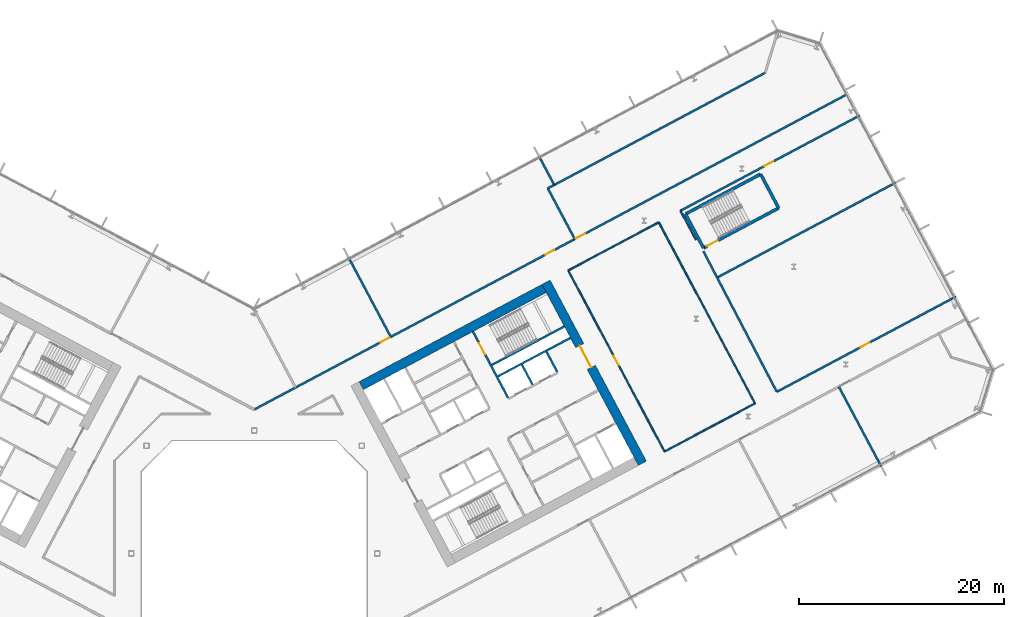
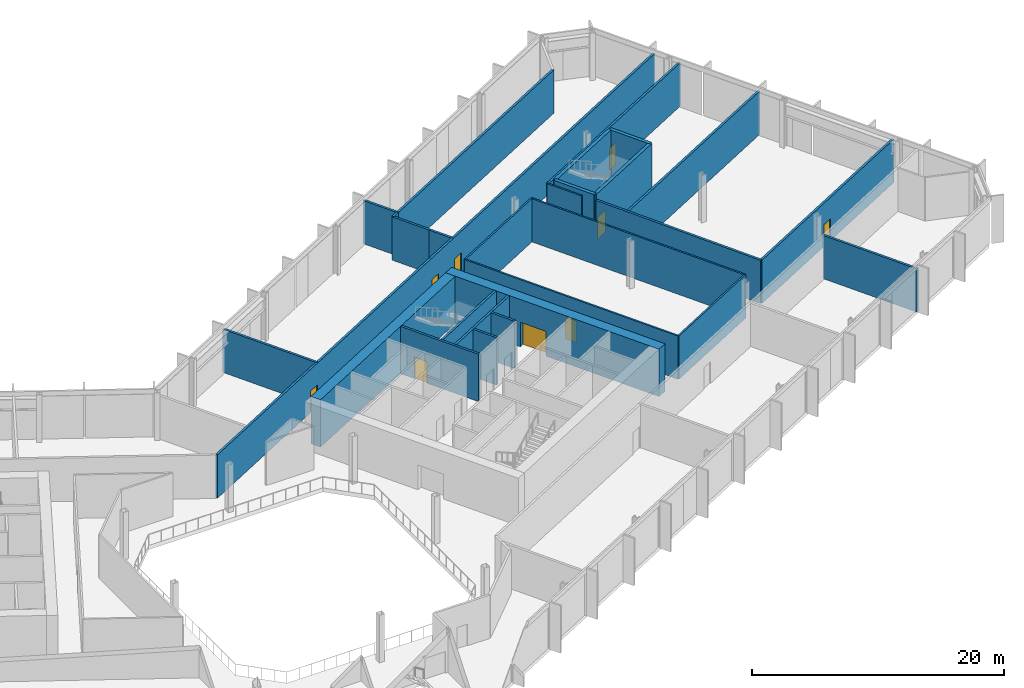
# One storey, part 19 of 32: 28 walls, 9 doors, 9 openings.
"""IFC4 building model written with IfcOpenShell, lengths in metres."""

from ifc_helpers import new_model, si_unit, direction, frame, frame_2d, origin, place, context, subcontext, project, spatial, rectangle, extrude, material, layer, layer_set, type_object, element, fill, save


model = new_model("IFC4")

# Units and contexts
model_context = context("Model", 3, precision=1e-05, world=origin(), true_north=direction((0.0, 1.0)))
body_context = subcontext(model_context, "Body", "Model", "MODEL_VIEW")
ifc_project = project(units=[si_unit("LENGTHUNIT", "METRE"), si_unit("AREAUNIT", "SQUARE_METRE"), si_unit("VOLUMEUNIT", "CUBIC_METRE"), si_unit("PLANEANGLEUNIT", "RADIAN"), si_unit("MASSUNIT", "GRAM", prefix="KILO")], contexts=[model_context])

# Site, building, storey
site_placement = place(None, origin())
site = spatial("IfcSite", under=ifc_project, at=site_placement, CompositionType="ELEMENT")
building_placement = place(site_placement, origin())
building = spatial("IfcBuilding", under=site, at=building_placement, Name="Cormorant Relay Tower", CompositionType="ELEMENT")
storey_placement = place(building_placement, frame((0.0, 0.0, 75.39990234375)))
storey = spatial("IfcBuildingStorey", under=building, at=storey_placement, Name="L14", CompositionType="ELEMENT", Elevation=75.39990234375)

# Wall
ifc_material_1 = material(Name="Concrete 40 MPa", Category="concrete")
ifc_layer_1 = layer(ifc_material_1, 0.199951171875)
ifc_layer_set_1 = layer_set([ifc_layer_1], Name="Core internal wall 200")
wall_type_1 = type_object("IfcWallType", Name="Core internal wall 200", PredefinedType="SOLIDWALL", material=ifc_layer_set_1)
wall_1_placement = place(storey_placement, frame((27.144287109375, 16.471435546875, 0.0), z_axis=(0.0, 0.0, 1.0), x_axis=(-0.469401318492, 0.882984938828, 0.0)))
element("IfcWall", 1, at=wall_1_placement, inside=storey, type_object=wall_type_1, Name="L14 core B shaft and room wall", PredefinedType="SOLIDWALL", context=body_context, shape_type="SweptSolid", body=[
    extrude(rectangle(XDim=2.199951171875, YDim=0.199951171875, at=frame_2d((1.10009765625, 0.0))), origin(), (0.0, 0.0, 1.0), 4.60009765625),
])

# Wall, opening, door
ifc_material_2 = material(Name="Concrete 50 MPa", Category="concrete")
ifc_layer_2 = layer(ifc_material_2, 0.199951171875)
ifc_layer_set_2 = layer_set([ifc_layer_2], Name="Core shaft wall 200")
wall_type_2 = type_object("IfcWallType", Name="Core shaft wall 200", PredefinedType="SHEAR", material=ifc_layer_set_2)
wall_2_placement = place(storey_placement, frame((24.760498046875, 15.2041015625, 0.0), z_axis=(0.0, 0.0, 1.0), x_axis=(-0.469494272526, 0.882935517501, 0.0)))
wall_2 = element("IfcWall", 2, at=wall_2_placement, inside=storey, type_object=wall_type_2, Name="L14 core B shaft wall", PredefinedType="SHEAR", context=body_context, shape_type="SweptSolid", body=[
    extrude(rectangle(XDim=7.2998046875, YDim=0.199951171875, at=frame_2d((3.64990234375, 0.0))), origin(), (0.0, 0.0, 1.0), 4.60009765625),
])
opening_1_placement = place(wall_2_placement, frame((4.800048828125, 0.0, 0.0)))
opening_1 = element("IfcOpeningElement", 3, at=opening_1_placement, cuts=wall_2, Name="Opening CDB-027", PredefinedType="OPENING", context=body_context, shape_type="SweptSolid", body=[
    extrude(rectangle(XDim=1.199951171875, YDim=2.10009765625, at=frame_2d((0.60009765625, 1.050048828125))), frame((0.0, 0.10986328125, 0.0), z_axis=(0.0, -1.0, 0.0), x_axis=(1.0, 0.0, 0.0)), (0.0, 0.0, 1.0), 0.219970703125),
])
ifc_material_3 = material(Name="Steel fire door", Category="steel")
door_type_1 = type_object("IfcDoorType", Name="Core stair door 1200x2100", OperationType="SINGLE_SWING_LEFT", PredefinedType="DOOR", material=ifc_material_3)
door_1_placement = place(opening_1_placement, frame((1.199951171875, 0.0, 0.0), z_axis=(0.0, 0.0, 1.0), x_axis=(-1.0, 0.0, 0.0)))
door_1 = element("IfcDoor", 4, at=door_1_placement, inside=storey, type_object=door_type_1, Name="Core stair door 1200x2100", OperationType="SINGLE_SWING_RIGHT", OverallHeight=2.10009765625, OverallWidth=1.199951171875, PredefinedType="DOOR", context=body_context, shape_type="SweptSolid", body=[
    extrude(rectangle(XDim=1.199951171875, YDim=2.10009765625, at=frame_2d((0.60009765625, 1.050048828125))), frame((0.0, 0.02490234375, 0.0), z_axis=(0.0, -1.0, 0.0), x_axis=(1.0, 0.0, 0.0)), (0.0, 0.0, 1.0), 0.050048828125),
])
fill(opening_1, door_1)

# Walls
wall_3_placement = place(storey_placement, frame((29.5283203125, 17.739013671875, 0.0), z_axis=(0.0, 0.0, 1.0), x_axis=(-0.469401318492, 0.882984938828, 0.0)))
element("IfcWall", 5, at=wall_3_placement, inside=storey, type_object=wall_type_2, Name="L14 core B shaft wall", PredefinedType="SHEAR", context=body_context, shape_type="SweptSolid", body=[
    extrude(rectangle(XDim=2.199951171875, YDim=0.199951171875, at=frame_2d((1.10009765625, 0.0))), origin(), (0.0, 0.0, 1.0), 4.60009765625),
])
wall_4_placement = place(storey_placement, frame((23.76904296875, 17.28173828125, 0.0), z_axis=(0.0, 0.0, 1.0), x_axis=(0.882940221191, 0.469485426614, 0.0)))
element("IfcWall", 6, at=wall_4_placement, inside=storey, type_object=wall_type_2, Name="L14 core B shaft wall", PredefinedType="SHEAR", context=body_context, shape_type="SweptSolid", body=[
    extrude(rectangle(XDim=8.0, YDim=0.199951171875, at=frame_2d((4.0, 0.0))), origin(), (0.0, 0.0, 1.0), 4.60009765625),
])
wall_5_placement = place(storey_placement, frame((23.18212890625, 18.385498046875, 0.0), z_axis=(0.0, 0.0, 1.0), x_axis=(0.88295287151, 0.469461634952, 0.0)))
element("IfcWall", 7, at=wall_5_placement, inside=storey, type_object=wall_type_2, Name="L14 core B shaft wall", PredefinedType="SHEAR", context=body_context, shape_type="SweptSolid", body=[
    extrude(rectangle(XDim=7.999755859375, YDim=0.199951171875, at=frame_2d((4.0, 0.0))), origin(), (0.0, 0.0, 1.0), 4.60009765625),
])

# Wall, opening, door
ifc_material_4 = material(Name="Concrete 70 MPa", Category="concrete")
ifc_layer_3 = layer(ifc_material_4, 0.89990234375)
ifc_layer_set_3 = layer_set([ifc_layer_3], Name="Core wall 900")
wall_type_3 = type_object("IfcWallType", Name="Core wall 900", PredefinedType="SHEAR", material=ifc_layer_set_3)
wall_6_placement = place(storey_placement, frame((37.849365234375, 8.799072265625, 0.0), z_axis=(0.0, 0.0, 1.0), x_axis=(-0.469465789982, 0.882950662289, 0.0)))
wall_6 = element("IfcWall", 8, at=wall_6_placement, inside=storey, type_object=wall_type_3, Name="L14 core B wall", PredefinedType="SHEAR", context=body_context, shape_type="SweptSolid", body=[
    extrude(rectangle(XDim=20.000244140625, YDim=0.89990234375, at=frame_2d((10.0, 0.0))), origin(), (0.0, 0.0, 1.0), 4.60009765625),
])
opening_2_placement = place(wall_6_placement, frame((10.60009765625, 0.0, 0.0)))
opening_2 = element("IfcOpeningElement", 9, at=opening_2_placement, cuts=wall_6, Name="Opening CDA-020", PredefinedType="OPENING", context=body_context, shape_type="SweptSolid", body=[
    extrude(rectangle(XDim=2.39990234375, YDim=2.39990234375, at=frame_2d((1.199951171875, 1.199951171875))), frame((0.0, 0.4599609375, 0.0), z_axis=(0.0, -1.0, 0.0), x_axis=(1.0, 0.0, 0.0)), (0.0, 0.0, 1.0), 0.919921875),
])
ifc_material_5 = material(Name="Steel fire door", Category="steel")
door_type_2 = type_object("IfcDoorType", Name="Core lobby door 2400x2400", OperationType="DOUBLE_DOOR_SINGLE_SWING", PredefinedType="DOOR", material=ifc_material_5)
door_2_placement = place(opening_2_placement, origin())
door_2 = element("IfcDoor", 10, at=door_2_placement, inside=storey, type_object=door_type_2, Name="Core lobby door 2400x2400", OperationType="DOUBLE_DOOR_SINGLE_SWING", OverallHeight=2.39990234375, OverallWidth=2.39990234375, PredefinedType="DOOR", context=body_context, shape_type="SweptSolid", body=[
    extrude(rectangle(XDim=2.39990234375, YDim=2.39990234375, at=frame_2d((1.199951171875, 1.199951171875))), frame((0.0, 0.02490234375, 0.0), z_axis=(0.0, -1.0, 0.0), x_axis=(1.0, 0.0, 0.0)), (0.0, 0.0, 1.0), 0.050048828125),
])
fill(opening_2, door_2)

# Wall
wall_7_placement = place(storey_placement, frame((10.4384765625, 16.3662109375, 0.0), z_axis=(0.0, 0.0, 1.0), x_axis=(0.88294509198, 0.469476266226, 0.0)))
element("IfcWall", 11, at=wall_7_placement, inside=storey, type_object=wall_type_3, Name="L14 core B wall", PredefinedType="SHEAR", context=body_context, shape_type="SweptSolid", body=[
    extrude(rectangle(XDim=20.199951171875, YDim=0.89990234375, at=frame_2d((10.10009765625, 0.0))), origin(), (0.0, 0.0, 1.0), 4.60009765625),
])

# Wall, openings, doors
ifc_material_6 = material(Name="Fire-rated gypsum board partition")
ifc_layer_4 = layer(ifc_material_6, 0.199951171875)
ifc_layer_set_4 = layer_set([ifc_layer_4], Name="Fire-rated gypsum partition 200")
wall_type_4 = type_object("IfcWallType", Name="Fire-rated gypsum partition 200", PredefinedType="PARTITIONING", material=ifc_layer_set_4)
wall_8_placement = place(storey_placement, frame((0.0, 14.0439453125, 0.0), z_axis=(0.0, 0.0, 1.0), x_axis=(0.882943219941, 0.469479786955, 0.0)))
wall_8 = element("IfcWall", 12, at=wall_8_placement, inside=storey, type_object=wall_type_4, Name="wall/L14/part/9", PredefinedType="PARTITIONING", context=body_context, shape_type="SweptSolid", body=[
    extrude(rectangle(XDim=65.606689453125, YDim=0.199951171875, at=frame_2d((32.80322265625, 0.0))), origin(), (0.0, 0.0, 1.0), 4.2001953125),
])
opening_3_placement = place(wall_8_placement, frame((35.550048828125, 0.0, 0.0)))
opening_3 = element("IfcOpeningElement", 13, at=opening_3_placement, cuts=wall_8, Name="Opening FD1-087", PredefinedType="OPENING", context=body_context, shape_type="SweptSolid", body=[
    extrude(rectangle(XDim=1.0, YDim=2.10009765625, at=frame_2d((0.5, 1.050048828125))), frame((0.0, 0.10986328125, 0.0), z_axis=(0.0, -1.0, 0.0), x_axis=(1.0, 0.0, 0.0)), (0.0, 0.0, 1.0), 0.219970703125),
])
opening_4_placement = place(wall_8_placement, frame((32.14990234375, 0.0, 0.0)))
opening_4 = element("IfcOpeningElement", 14, at=opening_4_placement, cuts=wall_8, Name="Opening FD1-088", PredefinedType="OPENING", context=body_context, shape_type="SweptSolid", body=[
    extrude(rectangle(XDim=1.0, YDim=2.10009765625, at=frame_2d((0.5, 1.050048828125))), frame((0.0, 0.10986328125, 0.0), z_axis=(0.0, -1.0, 0.0), x_axis=(1.0, 0.0, 0.0)), (0.0, 0.0, 1.0), 0.219970703125),
])
opening_5_placement = place(wall_8_placement, frame((13.949951171875, 0.0, 0.0)))
opening_5 = element("IfcOpeningElement", 15, at=opening_5_placement, cuts=wall_8, Name="Opening FD1-089", PredefinedType="OPENING", context=body_context, shape_type="SweptSolid", body=[
    extrude(rectangle(XDim=1.0, YDim=2.10009765625, at=frame_2d((0.5, 1.050048828125))), frame((0.0, 0.10986328125, 0.0), z_axis=(0.0, -1.0, 0.0), x_axis=(1.0, 0.0, 0.0)), (0.0, 0.0, 1.0), 0.219970703125),
])
ifc_material_7 = material(Name="Fire-rated steel door", Category="steel")
door_type_3 = type_object("IfcDoorType", Name="Fire door 1000 x 2100", OperationType="SINGLE_SWING_LEFT", PredefinedType="DOOR", material=ifc_material_7)
door_3_placement = place(opening_3_placement, origin())
door_3 = element("IfcDoor", 16, at=door_3_placement, inside=storey, type_object=door_type_3, Name="door/L14/5", OperationType="SINGLE_SWING_LEFT", OverallHeight=2.10009765625, OverallWidth=1.0, PredefinedType="DOOR", context=body_context, shape_type="SweptSolid", body=[
    extrude(rectangle(XDim=1.0, YDim=2.10009765625, at=frame_2d((0.5, 1.050048828125))), frame((0.0, 0.02490234375, 0.0), z_axis=(0.0, -1.0, 0.0), x_axis=(1.0, 0.0, 0.0)), (0.0, 0.0, 1.0), 0.050048828125),
])
fill(opening_3, door_3)
door_4_placement = place(opening_4_placement, origin())
door_4 = element("IfcDoor", 17, at=door_4_placement, inside=storey, type_object=door_type_3, Name="door/L14/6", OperationType="SINGLE_SWING_LEFT", OverallHeight=2.10009765625, OverallWidth=1.0, PredefinedType="DOOR", context=body_context, shape_type="SweptSolid", body=[
    extrude(rectangle(XDim=1.0, YDim=2.10009765625, at=frame_2d((0.5, 1.050048828125))), frame((0.0, 0.02490234375, 0.0), z_axis=(0.0, -1.0, 0.0), x_axis=(1.0, 0.0, 0.0)), (0.0, 0.0, 1.0), 0.050048828125),
])
fill(opening_4, door_4)
door_5_placement = place(opening_5_placement, origin())
door_5 = element("IfcDoor", 18, at=door_5_placement, inside=storey, type_object=door_type_3, Name="door/L14/7", OperationType="SINGLE_SWING_RIGHT", OverallHeight=2.10009765625, OverallWidth=1.0, PredefinedType="DOOR", context=body_context, shape_type="SweptSolid", body=[
    extrude(rectangle(XDim=1.0, YDim=2.10009765625, at=frame_2d((0.5, 1.050048828125))), frame((0.0, 0.02490234375, 0.0), z_axis=(0.0, -1.0, 0.0), x_axis=(1.0, 0.0, 0.0)), (0.0, 0.0, 1.0), 0.050048828125),
])
fill(opening_5, door_5)

# Walls
wall_9_placement = place(storey_placement, frame((9.19091796875, 28.89794921875, 0.0), z_axis=(0.0, 0.0, 1.0), x_axis=(0.46939995126, -0.882985665658, 0.0)))
element("IfcWall", 19, at=wall_9_placement, inside=storey, type_object=wall_type_4, Name="wall/L14/part/27", PredefinedType="PARTITIONING", context=body_context, shape_type="SweptSolid", body=[
    extrude(rectangle(XDim=8.80078125, YDim=0.199951171875, at=frame_2d((4.400390625, 0.0))), origin(), (0.0, 0.0, 1.0), 4.2001953125),
])
wall_10_placement = place(storey_placement, frame((30.2490234375, 32.572021484375, 0.0), z_axis=(0.0, 0.0, 1.0), x_axis=(0.469290296872, -0.883043949791, 0.0)))
element("IfcWall", 20, at=wall_10_placement, inside=storey, type_object=wall_type_4, Name="wall/L14/part/33", PredefinedType="PARTITIONING", context=body_context, shape_type="SweptSolid", body=[
    extrude(rectangle(XDim=2.158447265625, YDim=0.199951171875, at=frame_2d((1.0791015625, 0.0))), origin(), (0.0, 0.0, 1.0), 4.2001953125),
])
wall_11_placement = place(storey_placement, frame((27.760009765625, 38.77099609375, 0.0), z_axis=(0.0, 0.0, 1.0), x_axis=(0.469320691295, -0.883027796121, 0.0)))
element("IfcWall", 21, at=wall_11_placement, inside=storey, type_object=wall_type_4, Name="wall/L14/part/37", PredefinedType="PARTITIONING", context=body_context, shape_type="SweptSolid", body=[
    extrude(rectangle(XDim=3.2001953125, YDim=0.199951171875, at=frame_2d((1.60009765625, 0.0))), origin(), (0.0, 0.0, 1.0), 4.2001953125),
])
wall_12_placement = place(storey_placement, frame((29.260009765625, 35.945068359375, 0.0), z_axis=(0.0, 0.0, 1.0), x_axis=(0.882968820758, 0.469431636737, 0.0)))
element("IfcWall", 22, at=wall_12_placement, inside=storey, type_object=wall_type_4, Name="wall/L14/part/38", PredefinedType="PARTITIONING", context=body_context, shape_type="SweptSolid", body=[
    extrude(rectangle(XDim=23.28955078125, YDim=0.199951171875, at=frame_2d((11.644775390625, 0.0))), origin(), (0.0, 0.0, 1.0), 4.2001953125),
])
wall_13_placement = place(storey_placement, frame((30.2490234375, 32.572021484375, 0.0), z_axis=(0.0, 0.0, 1.0), x_axis=(-0.46948710086, 0.882939330943, 0.0)))
element("IfcWall", 23, at=wall_13_placement, inside=storey, type_object=wall_type_4, Name="wall/L14/part/40", PredefinedType="PARTITIONING", context=body_context, shape_type="SweptSolid", body=[
    extrude(rectangle(XDim=3.44189453125, YDim=0.199951171875, at=frame_2d((1.720947265625, 0.0))), origin(), (0.0, 0.0, 1.0), 4.2001953125),
])
wall_14_placement = place(storey_placement, frame((28.633056640625, 35.611083984375, 0.0), z_axis=(0.0, 0.0, 1.0), x_axis=(0.882581167339, 0.470160061106, 0.0)))
element("IfcWall", 24, at=wall_14_placement, inside=storey, type_object=wall_type_4, Name="wall/L14/part/41", PredefinedType="PARTITIONING", context=body_context, shape_type="SweptSolid", body=[
    extrude(rectangle(XDim=0.71044921875, YDim=0.199951171875, at=frame_2d((0.355224609375, 0.0))), origin(), (0.0, 0.0, 1.0), 4.2001953125),
])

# Wall, opening, door
wall_15_placement = place(storey_placement, frame((41.572021484375, 33.429931640625, 0.0), z_axis=(0.0, 0.0, 1.0), x_axis=(0.882950585831, 0.469465933781, 0.0)))
wall_15 = element("IfcWall", 25, at=wall_15_placement, inside=storey, type_object=wall_type_4, Name="wall/L14/part/44", PredefinedType="PARTITIONING", context=body_context, shape_type="SweptSolid", body=[
    extrude(rectangle(XDim=19.799560546875, YDim=0.199951171875, at=frame_2d((9.89990234375, 0.0))), origin(), (0.0, 0.0, 1.0), 4.2001953125),
])
opening_6_placement = place(wall_15_placement, frame((9.25, 0.0, 0.0)))
opening_6 = element("IfcOpeningElement", 26, at=opening_6_placement, cuts=wall_15, Name="Opening FD1-085", PredefinedType="OPENING", context=body_context, shape_type="SweptSolid", body=[
    extrude(rectangle(XDim=1.0, YDim=2.10009765625, at=frame_2d((0.5, 1.050048828125))), frame((0.0, 0.10986328125, 0.0), z_axis=(0.0, -1.0, 0.0), x_axis=(1.0, 0.0, 0.0)), (0.0, 0.0, 1.0), 0.219970703125),
])
door_6_placement = place(opening_6_placement, frame((1.0, 0.0, 0.0), z_axis=(0.0, 0.0, 1.0), x_axis=(-1.0, 0.0, 0.0)))
door_6 = element("IfcDoor", 27, at=door_6_placement, inside=storey, type_object=door_type_3, Name="door/L14/23", OperationType="SINGLE_SWING_RIGHT", OverallHeight=2.10009765625, OverallWidth=1.0, PredefinedType="DOOR", context=body_context, shape_type="SweptSolid", body=[
    extrude(rectangle(XDim=1.0, YDim=2.10009765625, at=frame_2d((0.5, 1.050048828125))), frame((0.0, 0.02490234375, 0.0), z_axis=(0.0, -1.0, 0.0), x_axis=(1.0, 0.0, 0.0)), (0.0, 0.0, 1.0), 0.050048828125),
])
fill(opening_6, door_6)

# Wall
wall_16_placement = place(storey_placement, frame((43.801025390625, 29.48291015625, 0.0), z_axis=(0.0, 0.0, 1.0), x_axis=(0.462864260364, -0.886429171721, 0.0)))
element("IfcWall", 28, at=wall_16_placement, inside=storey, type_object=wall_type_4, Name="wall/L14/part/46", PredefinedType="PARTITIONING", context=body_context, shape_type="SweptSolid", body=[
    extrude(rectangle(XDim=15.46875, YDim=0.199951171875, at=frame_2d((7.734375, 0.0))), origin(), (0.0, 0.0, 1.0), 4.2001953125),
])

# Wall, opening, door
wall_17_placement = place(storey_placement, frame((50.9609375, 15.77099609375, 0.0), z_axis=(0.0, 0.0, 1.0), x_axis=(0.882969283776, 0.469430765831, 0.0)))
wall_17 = element("IfcWall", 29, at=wall_17_placement, inside=storey, type_object=wall_type_4, Name="wall/L14/part/47", PredefinedType="PARTITIONING", context=body_context, shape_type="SweptSolid", body=[
    extrude(rectangle(XDim=19.80029296875, YDim=0.199951171875, at=frame_2d((9.900146484375, 0.0))), origin(), (0.0, 0.0, 1.0), 4.2001953125),
])
opening_7_placement = place(wall_17_placement, frame((9.25, 0.0, 0.0)))
opening_7 = element("IfcOpeningElement", 30, at=opening_7_placement, cuts=wall_17, Name="Opening FD1-084", PredefinedType="OPENING", context=body_context, shape_type="SweptSolid", body=[
    extrude(rectangle(XDim=1.0, YDim=2.10009765625, at=frame_2d((0.5, 1.050048828125))), frame((0.0, 0.10986328125, 0.0), z_axis=(0.0, -1.0, 0.0), x_axis=(1.0, 0.0, 0.0)), (0.0, 0.0, 1.0), 0.219970703125),
])
door_7_placement = place(opening_7_placement, origin())
door_7 = element("IfcDoor", 31, at=door_7_placement, inside=storey, type_object=door_type_3, Name="door/L14/22", OperationType="SINGLE_SWING_LEFT", OverallHeight=2.10009765625, OverallWidth=1.0, PredefinedType="DOOR", context=body_context, shape_type="SweptSolid", body=[
    extrude(rectangle(XDim=1.0, YDim=2.10009765625, at=frame_2d((0.5, 1.050048828125))), frame((0.0, 0.02490234375, 0.0), z_axis=(0.0, -1.0, 0.0), x_axis=(1.0, 0.0, 0.0)), (0.0, 0.0, 1.0), 0.050048828125),
])
fill(opening_7, door_7)

# Walls
wall_18_placement = place(storey_placement, frame((62.5419921875, 36.166015625, 0.0), z_axis=(0.0, 0.0, 1.0), x_axis=(-0.882962645452, -0.46944325188, 0.0)))
element("IfcWall", 32, at=wall_18_placement, inside=storey, type_object=wall_type_4, Name="wall/L14/part/48", PredefinedType="PARTITIONING", context=body_context, shape_type="SweptSolid", body=[
    extrude(rectangle(XDim=19.706298828125, YDim=0.199951171875, at=frame_2d((9.85302734375, 0.0))), origin(), (0.0, 0.0, 1.0), 4.2001953125),
])
wall_19_placement = place(storey_placement, frame((57.010986328125, 16.26904296875, 0.0), z_axis=(0.0, 0.0, 1.0), x_axis=(0.469445946219, -0.882961212952, 0.0)))
element("IfcWall", 33, at=wall_19_placement, inside=storey, type_object=wall_type_4, Name="wall/L14/part/49", PredefinedType="PARTITIONING", context=body_context, shape_type="SweptSolid", body=[
    extrude(rectangle(XDim=8.800048828125, YDim=0.199951171875, at=frame_2d((4.39990234375, 0.0))), origin(), (0.0, 0.0, 1.0), 4.2001953125),
])
ifc_material_8 = material(Name="Gypsum board partition")
ifc_layer_5 = layer(ifc_material_8, 0.14990234375)
ifc_layer_set_5 = layer_set([ifc_layer_5], Name="Gypsum board partition 150")
wall_type_5 = type_object("IfcWallType", Name="Gypsum board partition 150", PredefinedType="PARTITIONING", material=ifc_layer_set_5)
wall_20_placement = place(storey_placement, frame((41.572021484375, 33.429931640625, 0.0), z_axis=(0.0, 0.0, 1.0), x_axis=(0.469510863882, -0.882926694974, 0.0)))
element("IfcWall", 34, at=wall_20_placement, inside=storey, type_object=wall_type_5, Name="wall/L14/part/45", PredefinedType="PARTITIONING", context=body_context, shape_type="SweptSolid", body=[
    extrude(rectangle(XDim=3.2119140625, YDim=0.14990234375, at=frame_2d((1.60595703125, 0.0))), origin(), (0.0, 0.0, 1.0), 4.2001953125),
])
wall_21_placement = place(storey_placement, frame((30.623046875, 27.60791015625, 0.0), z_axis=(0.0, 0.0, 1.0), x_axis=(0.882940863385, 0.469484218867, 0.0)))
element("IfcWall", 35, at=wall_21_placement, inside=storey, type_object=wall_type_5, Name="wall/L14/part/64", PredefinedType="PARTITIONING", context=body_context, shape_type="SweptSolid", body=[
    extrude(rectangle(XDim=10.00048828125, YDim=0.14990234375, at=frame_2d((5.000244140625, 0.0))), origin(), (0.0, 0.0, 1.0), 4.2001953125),
])
wall_22_placement = place(storey_placement, frame((39.452880859375, 32.302978515625, 0.0), z_axis=(0.0, 0.0, 1.0), x_axis=(0.469461333319, -0.882953031887, 0.0)))
element("IfcWall", 36, at=wall_22_placement, inside=storey, type_object=wall_type_5, Name="wall/L14/part/65", PredefinedType="PARTITIONING", context=body_context, shape_type="SweptSolid", body=[
    extrude(rectangle(XDim=19.999755859375, YDim=0.14990234375, at=frame_2d((10.0, 0.0))), origin(), (0.0, 0.0, 1.0), 4.2001953125),
])
wall_23_placement = place(storey_placement, frame((48.842041015625, 14.64404296875, 0.0), z_axis=(0.0, 0.0, 1.0), x_axis=(-0.882924718888, -0.46951457994, 0.0)))
element("IfcWall", 37, at=wall_23_placement, inside=storey, type_object=wall_type_5, Name="wall/L14/part/66", PredefinedType="PARTITIONING", context=body_context, shape_type="SweptSolid", body=[
    extrude(rectangle(XDim=9.999755859375, YDim=0.14990234375, at=frame_2d((5.0, 0.0))), origin(), (0.0, 0.0, 1.0), 4.2001953125),
])

# Wall, opening, door
wall_24_placement = place(storey_placement, frame((40.012939453125, 9.948974609375, 0.0), z_axis=(0.0, 0.0, 1.0), x_axis=(-0.469489882812, 0.882937851685, 0.0)))
wall_24 = element("IfcWall", 38, at=wall_24_placement, inside=storey, type_object=wall_type_5, Name="wall/L14/part/67", PredefinedType="PARTITIONING", context=body_context, shape_type="SweptSolid", body=[
    extrude(rectangle(XDim=20.000244140625, YDim=0.14990234375, at=frame_2d((10.0, 0.0))), origin(), (0.0, 0.0, 1.0), 4.2001953125),
])
opening_8_placement = place(wall_24_placement, frame((9.550048828125, 0.0, 0.0)))
opening_8 = element("IfcOpeningElement", 39, at=opening_8_placement, cuts=wall_24, Name="Opening D1-030", PredefinedType="OPENING", context=body_context, shape_type="SweptSolid", body=[
    extrude(rectangle(XDim=1.0, YDim=2.10009765625, at=frame_2d((0.5, 1.050048828125))), frame((0.0, 0.0849609375, 0.0), z_axis=(0.0, -1.0, 0.0), x_axis=(1.0, 0.0, 0.0)), (0.0, 0.0, 1.0), 0.169921875),
])
ifc_material_9 = material(Name="Painted steel door", Category="steel")
door_type_4 = type_object("IfcDoorType", Name="Single door 1000 x 2100", OperationType="SINGLE_SWING_LEFT", PredefinedType="DOOR", material=ifc_material_9)
door_8_placement = place(opening_8_placement, origin())
door_8 = element("IfcDoor", 40, at=door_8_placement, inside=storey, type_object=door_type_4, Name="door/L14/21", OperationType="SINGLE_SWING_RIGHT", OverallHeight=2.10009765625, OverallWidth=1.0, PredefinedType="DOOR", context=body_context, shape_type="SweptSolid", body=[
    extrude(rectangle(XDim=1.0, YDim=2.10009765625, at=frame_2d((0.5, 1.050048828125))), frame((0.0, 0.02490234375, 0.0), z_axis=(0.0, -1.0, 0.0), x_axis=(1.0, 0.0, 0.0)), (0.0, 0.0, 1.0), 0.050048828125),
])
fill(opening_8, door_8)

# Wall
ifc_material_10 = material(Name="Concrete 50 MPa", Category="concrete")
ifc_layer_6 = layer(ifc_material_10, 0.300048828125)
ifc_layer_set_6 = layer_set([ifc_layer_6], Name="Remote stair wall 300")
wall_type_6 = type_object("IfcWallType", Name="Remote stair wall 300", PredefinedType="SHEAR", material=ifc_layer_set_6)
wall_25_placement = place(storey_placement, frame((49.384033203125, 37.00390625, 0.0), z_axis=(0.0, 0.0, 1.0), x_axis=(0.46946936446, -0.882948761726, 0.0)))
element("IfcWall", 41, at=wall_25_placement, inside=storey, type_object=wall_type_6, Name="L14 exit stair RB1 wall", PredefinedType="SHEAR", context=body_context, shape_type="SweptSolid", body=[
    extrude(rectangle(XDim=3.75, YDim=0.300048828125, at=frame_2d((1.875, 0.0))), origin(), (0.0, 0.0, 1.0), 4.60009765625),
])

# Wall, opening, door
wall_26_placement = place(storey_placement, frame((51.14453125, 33.69287109375, 0.0), z_axis=(0.0, 0.0, 1.0), x_axis=(-0.882945809314, -0.469474917132, 0.0)))
wall_26 = element("IfcWall", 42, at=wall_26_placement, inside=storey, type_object=wall_type_6, Name="L14 exit stair RB1 wall", PredefinedType="SHEAR", context=body_context, shape_type="SweptSolid", body=[
    extrude(rectangle(XDim=8.30029296875, YDim=0.300048828125, at=frame_2d((4.150146484375, 0.0))), origin(), (0.0, 0.0, 1.0), 4.60009765625),
])
opening_9_placement = place(wall_26_placement, frame((6.72509765625, 0.0, 0.0)))
opening_9 = element("IfcOpeningElement", 43, at=opening_9_placement, cuts=wall_26, Name="Opening CDB-028", PredefinedType="OPENING", context=body_context, shape_type="SweptSolid", body=[
    extrude(rectangle(XDim=1.199951171875, YDim=2.10009765625, at=frame_2d((0.60009765625, 1.050048828125))), frame((0.0, 0.159912109375, 0.0), z_axis=(0.0, -1.0, 0.0), x_axis=(1.0, 0.0, 0.0)), (0.0, 0.0, 1.0), 0.320068359375),
])
door_9_placement = place(opening_9_placement, frame((1.199951171875, 0.0, 0.0), z_axis=(0.0, 0.0, 1.0), x_axis=(-1.0, 0.0, 0.0)))
door_9 = element("IfcDoor", 44, at=door_9_placement, inside=storey, type_object=door_type_1, Name="Exit stair RB1 door", OperationType="SINGLE_SWING_LEFT", OverallHeight=2.10009765625, OverallWidth=1.199951171875, PredefinedType="DOOR", context=body_context, shape_type="SweptSolid", body=[
    extrude(rectangle(XDim=1.199951171875, YDim=2.10009765625, at=frame_2d((0.60009765625, 1.050048828125))), frame((0.0, 0.02490234375, 0.0), z_axis=(0.0, -1.0, 0.0), x_axis=(1.0, 0.0, 0.0)), (0.0, 0.0, 1.0), 0.050048828125),
])
fill(opening_9, door_9)

# Walls
wall_27_placement = place(storey_placement, frame((43.81591796875, 29.796142578125, 0.0), z_axis=(0.0, 0.0, 1.0), x_axis=(-0.46946936446, 0.882948761726, 0.0)))
element("IfcWall", 45, at=wall_27_placement, inside=storey, type_object=wall_type_6, Name="L14 exit stair RB1 wall", PredefinedType="SHEAR", context=body_context, shape_type="SweptSolid", body=[
    extrude(rectangle(XDim=3.75, YDim=0.300048828125, at=frame_2d((1.875, 0.0))), origin(), (0.0, 0.0, 1.0), 4.60009765625),
])
wall_28_placement = place(storey_placement, frame((42.055419921875, 33.107177734375, 0.0), z_axis=(0.0, 0.0, 1.0), x_axis=(0.882945809314, 0.469474917132, 0.0)))
element("IfcWall", 46, at=wall_28_placement, inside=storey, type_object=wall_type_6, Name="L14 exit stair RB1 wall", PredefinedType="SHEAR", context=body_context, shape_type="SweptSolid", body=[
    extrude(rectangle(XDim=8.30029296875, YDim=0.300048828125, at=frame_2d((4.150146484375, 0.0))), origin(), (0.0, 0.0, 1.0), 4.60009765625),
])

save(model, "model.ifc")
